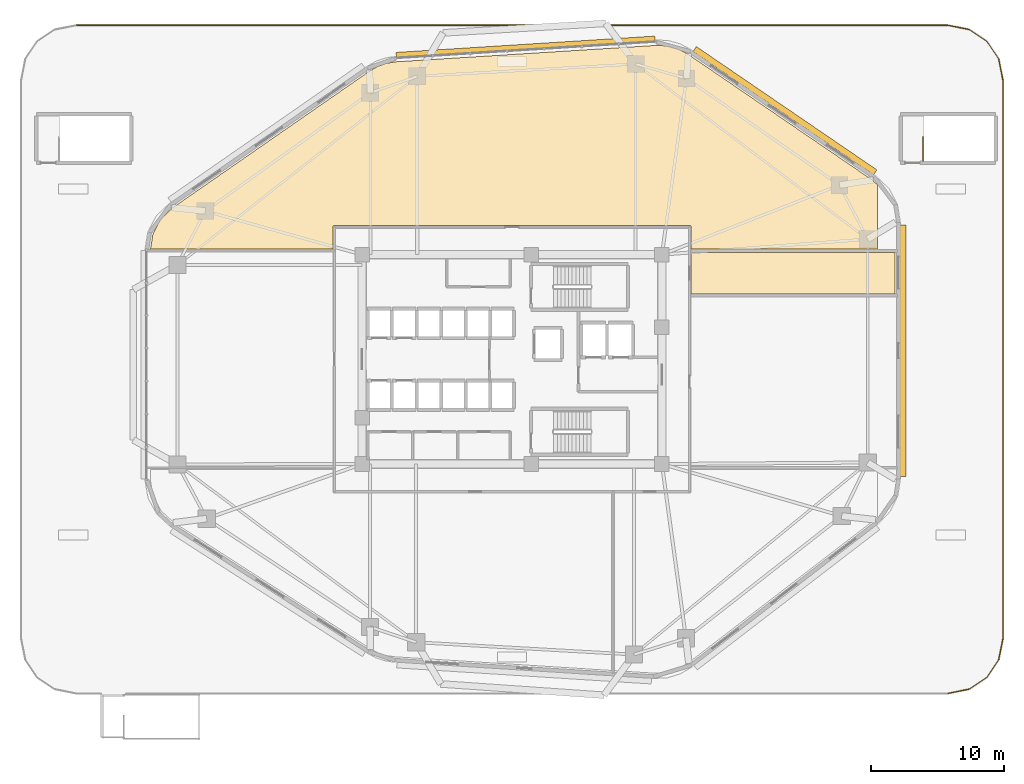
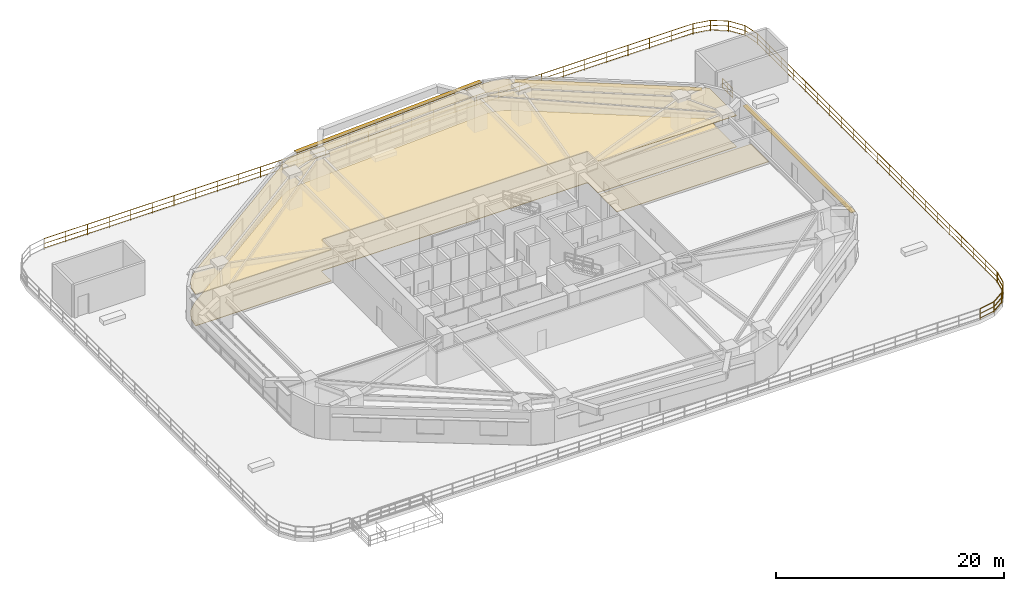
# One storey, part 20 of 20: 11 railings, 3 coverings, 3 shading devices.
"""IFC4 building model written with IfcOpenShell, lengths in metres."""

from ifc_helpers import new_model, si_unit, direction, frame, origin, origin_2d, place, context, subcontext, project, spatial, polyline, rectangle, outline, extrude, material, layer, layer_set, type_object, element, save


model = new_model("IFC4")

# Units and contexts
model_context = context("Model", 3, precision=1e-05, world=origin(), true_north=direction((0.0, 1.0)))
body_context = subcontext(model_context, "Body", "Model", "MODEL_VIEW")
ifc_project = project(units=[si_unit("LENGTHUNIT", "METRE"), si_unit("AREAUNIT", "SQUARE_METRE"), si_unit("VOLUMEUNIT", "CUBIC_METRE"), si_unit("PLANEANGLEUNIT", "RADIAN"), si_unit("MASSUNIT", "GRAM", prefix="KILO")], contexts=[model_context])

# Site, building, storey
site_placement = place(None, origin())
site = spatial("IfcSite", under=ifc_project, at=site_placement, CompositionType="ELEMENT")
building_placement = place(site_placement, origin())
building = spatial("IfcBuilding", under=site, at=building_placement, Name="Zulverin Broadcast Headquarters", CompositionType="ELEMENT")
storey_placement = place(building_placement, frame((0.0, 0.0, 25.0)))
storey = spatial("IfcBuildingStorey", under=building, at=storey_placement, Name="L05", CompositionType="ELEMENT", Elevation=25.0)

# Coverings
ifc_material_1 = material(Name="Perforated pale-metal acoustic baffle ceiling", Category="aluminium")
ifc_layer_1 = layer(ifc_material_1, 0.0400390625, Name="Perforated pale-metal acoustic baffle ceiling", Category="aluminium")
ifc_layer_set_1 = layer_set([ifc_layer_1], Name="Perforated pale-metal acoustic baffle ceiling")
covering_type_1 = type_object("IfcCoveringType", Name="COV-CEIL-ACOU", PredefinedType="CEILING", material=ifc_layer_set_1)
covering_1_placement = place(storey_placement, frame((0.0, 0.0, 3.344970703125)))
element("IfcCovering", 1, at=covering_1_placement, inside=storey, type_object=covering_type_1, Name="L05 Acoustic Baffle Ceiling 01", PredefinedType="CEILING", context=body_context, shape_type="SweptSolid", body=[
    extrude(outline(polyline([(11.4599609375, 36.583984375), (10.56005859375, 35.719970703125), (10.0, 34.639892578125), (9.81591796875, 33.5), (23.531982421875, 33.5), (23.531982421875, 35.152099609375), (23.531982421875, 35.1640625), (23.535888671875, 35.176025390625), (23.535888671875, 35.18798828125), (23.5400390625, 35.196044921875), (23.548095703125, 35.2080078125), (23.552001953125, 35.219970703125), (23.56005859375, 35.22802734375), (23.568115234375, 35.236083984375), (23.575927734375, 35.243896484375), (23.583984375, 35.251953125), (23.595947265625, 35.256103515625), (23.60791015625, 35.263916015625), (23.615966796875, 35.26806640625), (23.6279296875, 35.26806640625), (23.639892578125, 35.27197265625), (23.652099609375, 35.27197265625), (50.35205078125, 35.27197265625), (50.364013671875, 35.27197265625), (50.3759765625, 35.26806640625), (50.387939453125, 35.26806640625), (50.39599609375, 35.263916015625), (50.407958984375, 35.256103515625), (50.419921875, 35.251953125), (50.427978515625, 35.243896484375), (50.43603515625, 35.236083984375), (50.444091796875, 35.22802734375), (50.451904296875, 35.219970703125), (50.4560546875, 35.2080078125), (50.464111328125, 35.196044921875), (50.468017578125, 35.18798828125), (50.468017578125, 35.176025390625), (50.471923828125, 35.1640625), (50.471923828125, 35.152099609375), (50.471923828125, 33.5), (64.5, 33.5), (64.5, 38.303955078125), (64.115966796875, 38.672119140625), (50.248046875, 48.139892578125), (49.491943359375, 48.548095703125), (48.68408203125, 48.76806640625), (47.823974609375, 48.80810546875), (28.27587890625, 47.575927734375), (27.575927734375, 47.468017578125), (26.927978515625, 47.243896484375), (26.31591796875, 46.89599609375), (11.4599609375, 36.583984375)])), origin(), (0.0, 0.0, 1.0), 0.0400390625),
])
ifc_material_2 = material(Name="Anti-static broadcast raised access flooring", Category="stone")
ifc_layer_2 = layer(ifc_material_2, 0.050048828125, Name="Anti-static broadcast raised access flooring", Category="stone")
ifc_layer_set_2 = layer_set([ifc_layer_2], Name="Anti-static broadcast raised access flooring")
covering_type_2 = type_object("IfcCoveringType", Name="COV-FLR-RAISED", PredefinedType="FLOORING", material=ifc_layer_set_2)
covering_2_placement = place(storey_placement, origin())
element("IfcCovering", 2, at=covering_2_placement, inside=storey, type_object=covering_type_2, Name="L05 Broadcast Raised Access Flooring 01", PredefinedType="FLOORING", context=body_context, shape_type="SweptSolid", body=[
    extrude(outline(polyline([(11.4599609375, 36.583984375), (10.56005859375, 35.719970703125), (10.0, 34.639892578125), (9.81591796875, 33.5), (23.531982421875, 33.5), (23.531982421875, 35.152099609375), (23.531982421875, 35.1640625), (23.535888671875, 35.176025390625), (23.535888671875, 35.18798828125), (23.5400390625, 35.196044921875), (23.548095703125, 35.2080078125), (23.552001953125, 35.219970703125), (23.56005859375, 35.22802734375), (23.568115234375, 35.236083984375), (23.575927734375, 35.243896484375), (23.583984375, 35.251953125), (23.595947265625, 35.256103515625), (23.60791015625, 35.263916015625), (23.615966796875, 35.26806640625), (23.6279296875, 35.26806640625), (23.639892578125, 35.27197265625), (23.652099609375, 35.27197265625), (50.35205078125, 35.27197265625), (50.364013671875, 35.27197265625), (50.3759765625, 35.26806640625), (50.387939453125, 35.26806640625), (50.39599609375, 35.263916015625), (50.407958984375, 35.256103515625), (50.419921875, 35.251953125), (50.427978515625, 35.243896484375), (50.43603515625, 35.236083984375), (50.444091796875, 35.22802734375), (50.451904296875, 35.219970703125), (50.4560546875, 35.2080078125), (50.464111328125, 35.196044921875), (50.468017578125, 35.18798828125), (50.468017578125, 35.176025390625), (50.471923828125, 35.1640625), (50.471923828125, 35.152099609375), (50.471923828125, 33.5), (64.5, 33.5), (64.5, 38.303955078125), (64.115966796875, 38.672119140625), (50.248046875, 48.139892578125), (49.491943359375, 48.548095703125), (48.68408203125, 48.76806640625), (47.823974609375, 48.80810546875), (28.27587890625, 47.575927734375), (27.575927734375, 47.468017578125), (26.927978515625, 47.243896484375), (26.31591796875, 46.89599609375), (11.4599609375, 36.583984375)])), origin(), (0.0, 0.0, 1.0), 0.050048828125),
])
covering_3_placement = place(storey_placement, origin())
element("IfcCovering", 3, at=covering_3_placement, inside=storey, type_object=covering_type_2, Name="L05 Broadcast Raised Access Flooring 02", PredefinedType="FLOORING", context=body_context, shape_type="SweptSolid", body=[
    extrude(outline(polyline([(50.471923828125, 30.1201171875), (65.800048828125, 30.1201171875), (65.800048828125, 33.23193359375), (50.471923828125, 33.23193359375), (50.471923828125, 30.1201171875)])), origin(), (0.0, 0.0, 1.0), 0.050048828125),
])

# Railings
ifc_material_3 = material(Name="Brushed stainless steel & laminated glass balustrade", Category="steel")
railing_type_1 = type_object("IfcRailingType", Name="RL-GUARD-1150", PredefinedType="GUARDRAIL", material=ifc_material_3)
railing_1_placement = place(storey_placement, frame((69.806884765625, 0.0830078125, 0.0)))
element("IfcRailing", 4, at=railing_1_placement, inside=storey, type_object=railing_type_1, Name="L05 Raised Public Garden Perimeter Balustrade Segment 02", PredefinedType="GUARDRAIL", context=body_context, shape_type="SweptSolid", body=[
    extrude(rectangle(XDim=0.048095703125, YDim=0.048095703125, at=origin_2d()), frame((0.0, 0.0, 1.1259765625), z_axis=(0.980799279809, 0.195019929046, 0.0), x_axis=(-0.195019929046, 0.980799279809, 0.0)), (0.0, 0.0, 1.0), 1.5849609375),
    extrude(rectangle(XDim=0.0419921875, YDim=0.0419921875, at=origin_2d()), frame((0.0, 0.0, 0.597900390625), z_axis=(0.980799279809, 0.195019929046, 0.0), x_axis=(-0.195019929046, 0.980799279809, 0.0)), (0.0, 0.0, 1.0), 1.5849609375),
    extrude(rectangle(XDim=0.0419921875, YDim=0.0419921875, at=origin_2d()), frame((0.0, 0.0, 0.1201171875), z_axis=(0.980799279809, 0.195019929046, 0.0), x_axis=(-0.195019929046, 0.980799279809, 0.0)), (0.0, 0.0, 1.0), 1.5849609375),
    extrude(rectangle(XDim=0.0419921875, YDim=0.0419921875, at=origin_2d()), origin(), (0.0, 0.0, 1.0), 1.101806640625),
    extrude(rectangle(XDim=0.0419921875, YDim=0.0419921875, at=origin_2d()), frame((1.554443359375, 0.30908203125, 0.0)), (0.0, 0.0, 1.0), 1.101806640625),
])
railing_2_placement = place(storey_placement, frame((71.388671875, 0.4033203125, 0.0)))
element("IfcRailing", 5, at=railing_2_placement, inside=storey, type_object=railing_type_1, Name="L05 Raised Public Garden Perimeter Balustrade Segment 03", PredefinedType="GUARDRAIL", context=body_context, shape_type="SweptSolid", body=[
    extrude(rectangle(XDim=0.048095703125, YDim=0.048095703125, at=origin_2d()), frame((0.0, 0.0, 1.1259765625), z_axis=(0.831406618697, 0.555664498045, 0.0), x_axis=(-0.555664498045, 0.831406618697, 0.0)), (0.0, 0.0, 1.0), 1.576904296875),
    extrude(rectangle(XDim=0.0419921875, YDim=0.0419921875, at=origin_2d()), frame((0.0, 0.0, 0.597900390625), z_axis=(0.831406618697, 0.555664498045, 0.0), x_axis=(-0.555664498045, 0.831406618697, 0.0)), (0.0, 0.0, 1.0), 1.576904296875),
    extrude(rectangle(XDim=0.0419921875, YDim=0.0419921875, at=origin_2d()), frame((0.0, 0.0, 0.1201171875), z_axis=(0.831406618697, 0.555664498045, 0.0), x_axis=(-0.555664498045, 0.831406618697, 0.0)), (0.0, 0.0, 1.0), 1.576904296875),
    extrude(rectangle(XDim=0.0419921875, YDim=0.0419921875, at=origin_2d()), origin(), (0.0, 0.0, 1.0), 1.101806640625),
    extrude(rectangle(XDim=0.0419921875, YDim=0.0419921875, at=origin_2d()), frame((1.31103515625, 0.876220703125, 0.0)), (0.0, 0.0, 1.0), 1.101806640625),
])
railing_3_placement = place(storey_placement, frame((72.720458984375, 1.30029296875, 0.0)))
element("IfcRailing", 6, at=railing_3_placement, inside=storey, type_object=railing_type_1, Name="L05 Raised Public Garden Perimeter Balustrade Segment 04", PredefinedType="GUARDRAIL", context=body_context, shape_type="SweptSolid", body=[
    extrude(rectangle(XDim=0.048095703125, YDim=0.048095703125, at=origin_2d()), frame((0.0, 0.0, 1.1259765625), z_axis=(0.555664498045, 0.831406618697, 0.0), x_axis=(-0.831406618697, 0.555664498045, 0.0)), (0.0, 0.0, 1.0), 1.576904296875),
    extrude(rectangle(XDim=0.0419921875, YDim=0.0419921875, at=origin_2d()), frame((0.0, 0.0, 0.597900390625), z_axis=(0.555664498045, 0.831406618697, 0.0), x_axis=(-0.831406618697, 0.555664498045, 0.0)), (0.0, 0.0, 1.0), 1.576904296875),
    extrude(rectangle(XDim=0.0419921875, YDim=0.0419921875, at=origin_2d()), frame((0.0, 0.0, 0.1201171875), z_axis=(0.555664498045, 0.831406618697, 0.0), x_axis=(-0.831406618697, 0.555664498045, 0.0)), (0.0, 0.0, 1.0), 1.576904296875),
    extrude(rectangle(XDim=0.0419921875, YDim=0.0419921875, at=origin_2d()), origin(), (0.0, 0.0, 1.0), 1.101806640625),
    extrude(rectangle(XDim=0.0419921875, YDim=0.0419921875, at=origin_2d()), frame((0.876220703125, 1.31103515625, 0.0)), (0.0, 0.0, 1.0), 1.101806640625),
])
railing_4_placement = place(storey_placement, frame((73.60791015625, 2.638671875, 0.0)))
element("IfcRailing", 7, at=railing_4_placement, inside=storey, type_object=railing_type_1, Name="L05 Raised Public Garden Perimeter Balustrade Segment 05", PredefinedType="GUARDRAIL", context=body_context, shape_type="SweptSolid", body=[
    extrude(rectangle(XDim=0.048095703125, YDim=0.048095703125, at=origin_2d()), frame((0.0, 0.0, 1.1259765625), z_axis=(0.195019929046, 0.980799279809, 0.0), x_axis=(-0.980799279809, 0.195019929046, 0.0)), (0.0, 0.0, 1.0), 1.5849609375),
    extrude(rectangle(XDim=0.0419921875, YDim=0.0419921875, at=origin_2d()), frame((0.0, 0.0, 0.597900390625), z_axis=(0.195019929046, 0.980799279809, 0.0), x_axis=(-0.980799279809, 0.195019929046, 0.0)), (0.0, 0.0, 1.0), 1.5849609375),
    extrude(rectangle(XDim=0.0419921875, YDim=0.0419921875, at=origin_2d()), frame((0.0, 0.0, 0.1201171875), z_axis=(0.195019929046, 0.980799279809, 0.0), x_axis=(-0.980799279809, 0.195019929046, 0.0)), (0.0, 0.0, 1.0), 1.5849609375),
    extrude(rectangle(XDim=0.0419921875, YDim=0.0419921875, at=origin_2d()), origin(), (0.0, 0.0, 1.0), 1.101806640625),
    extrude(rectangle(XDim=0.0419921875, YDim=0.0419921875, at=origin_2d()), frame((0.30908203125, 1.554443359375, 0.0)), (0.0, 0.0, 1.0), 1.101806640625),
])
railing_5_placement = place(storey_placement, frame((73.919921875, 4.222900390625, 0.0)))
element("IfcRailing", 8, at=railing_5_placement, inside=storey, type_object=railing_type_1, Name="L05 Raised Public Garden Perimeter Balustrade Segment 06", PredefinedType="GUARDRAIL", context=body_context, shape_type="SweptSolid", body=[
    extrude(rectangle(XDim=0.048095703125, YDim=0.048095703125, at=origin_2d()), frame((0.0, 0.0, 1.1259765625), z_axis=(0.0, 1.0, 0.0), x_axis=(-1.0, 0.0, 0.0)), (0.0, 0.0, 1.0), 41.9541015625),
    extrude(rectangle(XDim=0.0419921875, YDim=0.0419921875, at=origin_2d()), frame((0.0, 0.0, 0.597900390625), z_axis=(0.0, 1.0, 0.0), x_axis=(-1.0, 0.0, 0.0)), (0.0, 0.0, 1.0), 41.9541015625),
    extrude(rectangle(XDim=0.0419921875, YDim=0.0419921875, at=origin_2d()), frame((0.0, 0.0, 0.1201171875), z_axis=(0.0, 1.0, 0.0), x_axis=(-1.0, 0.0, 0.0)), (0.0, 0.0, 1.0), 41.9541015625),
    extrude(rectangle(XDim=0.0419921875, YDim=0.0419921875, at=origin_2d()), origin(), (0.0, 0.0, 1.0), 1.101806640625),
    extrude(rectangle(XDim=0.0419921875, YDim=0.0419921875, at=origin_2d()), frame((0.0, 2.09765625, 0.0)), (0.0, 0.0, 1.0), 1.101806640625),
    extrude(rectangle(XDim=0.0419921875, YDim=0.0419921875, at=origin_2d()), frame((0.0, 4.1953125, 0.0)), (0.0, 0.0, 1.0), 1.101806640625),
    extrude(rectangle(XDim=0.0419921875, YDim=0.0419921875, at=origin_2d()), frame((0.0, 6.293212890625, 0.0)), (0.0, 0.0, 1.0), 1.101806640625),
    extrude(rectangle(XDim=0.0419921875, YDim=0.0419921875, at=origin_2d()), frame((0.0, 8.390869140625, 0.0)), (0.0, 0.0, 1.0), 1.101806640625),
    extrude(rectangle(XDim=0.0419921875, YDim=0.0419921875, at=origin_2d()), frame((0.0, 10.488525390625, 0.0)), (0.0, 0.0, 1.0), 1.101806640625),
    extrude(rectangle(XDim=0.0419921875, YDim=0.0419921875, at=origin_2d()), frame((0.0, 12.586181640625, 0.0)), (0.0, 0.0, 1.0), 1.101806640625),
    extrude(rectangle(XDim=0.0419921875, YDim=0.0419921875, at=origin_2d()), frame((0.0, 14.683837890625, 0.0)), (0.0, 0.0, 1.0), 1.101806640625),
    extrude(rectangle(XDim=0.0419921875, YDim=0.0419921875, at=origin_2d()), frame((0.0, 16.78173828125, 0.0)), (0.0, 0.0, 1.0), 1.101806640625),
    extrude(rectangle(XDim=0.0419921875, YDim=0.0419921875, at=origin_2d()), frame((0.0, 18.87939453125, 0.0)), (0.0, 0.0, 1.0), 1.101806640625),
    extrude(rectangle(XDim=0.0419921875, YDim=0.0419921875, at=origin_2d()), frame((0.0, 20.97705078125, 0.0)), (0.0, 0.0, 1.0), 1.101806640625),
    extrude(rectangle(XDim=0.0419921875, YDim=0.0419921875, at=origin_2d()), frame((0.0, 23.07470703125, 0.0)), (0.0, 0.0, 1.0), 1.101806640625),
    extrude(rectangle(XDim=0.0419921875, YDim=0.0419921875, at=origin_2d()), frame((0.0, 25.17236328125, 0.0)), (0.0, 0.0, 1.0), 1.101806640625),
    extrude(rectangle(XDim=0.0419921875, YDim=0.0419921875, at=origin_2d()), frame((0.0, 27.270263671875, 0.0)), (0.0, 0.0, 1.0), 1.101806640625),
    extrude(rectangle(XDim=0.0419921875, YDim=0.0419921875, at=origin_2d()), frame((0.0, 29.367919921875, 0.0)), (0.0, 0.0, 1.0), 1.101806640625),
    extrude(rectangle(XDim=0.0419921875, YDim=0.0419921875, at=origin_2d()), frame((0.0, 31.465576171875, 0.0)), (0.0, 0.0, 1.0), 1.101806640625),
    extrude(rectangle(XDim=0.0419921875, YDim=0.0419921875, at=origin_2d()), frame((0.0, 33.563232421875, 0.0)), (0.0, 0.0, 1.0), 1.101806640625),
    extrude(rectangle(XDim=0.0419921875, YDim=0.0419921875, at=origin_2d()), frame((0.0, 35.660888671875, 0.0)), (0.0, 0.0, 1.0), 1.101806640625),
    extrude(rectangle(XDim=0.0419921875, YDim=0.0419921875, at=origin_2d()), frame((0.0, 37.7587890625, 0.0)), (0.0, 0.0, 1.0), 1.101806640625),
    extrude(rectangle(XDim=0.0419921875, YDim=0.0419921875, at=origin_2d()), frame((0.0, 39.8564453125, 0.0)), (0.0, 0.0, 1.0), 1.101806640625),
    extrude(rectangle(XDim=0.0419921875, YDim=0.0419921875, at=origin_2d()), frame((0.0, 41.9541015625, 0.0)), (0.0, 0.0, 1.0), 1.101806640625),
])
railing_6_placement = place(storey_placement, frame((73.9169921875, 46.206787109375, 0.0)))
element("IfcRailing", 9, at=railing_6_placement, inside=storey, type_object=railing_type_1, Name="L05 Raised Public Garden Perimeter Balustrade Segment 07", PredefinedType="GUARDRAIL", context=body_context, shape_type="SweptSolid", body=[
    extrude(rectangle(XDim=0.048095703125, YDim=0.048095703125, at=origin_2d()), frame((0.0, 0.0, 1.1259765625), z_axis=(-0.194990468547, 0.980805137209, 0.0), x_axis=(-0.980805137209, -0.194990468547, 0.0)), (0.0, 0.0, 1.0), 1.585205078125),
    extrude(rectangle(XDim=0.0419921875, YDim=0.0419921875, at=origin_2d()), frame((0.0, 0.0, 0.597900390625), z_axis=(-0.194990468547, 0.980805137209, 0.0), x_axis=(-0.980805137209, -0.194990468547, 0.0)), (0.0, 0.0, 1.0), 1.585205078125),
    extrude(rectangle(XDim=0.0419921875, YDim=0.0419921875, at=origin_2d()), frame((0.0, 0.0, 0.1201171875), z_axis=(-0.194990468547, 0.980805137209, 0.0), x_axis=(-0.980805137209, -0.194990468547, 0.0)), (0.0, 0.0, 1.0), 1.585205078125),
    extrude(rectangle(XDim=0.0419921875, YDim=0.0419921875, at=origin_2d()), origin(), (0.0, 0.0, 1.0), 1.101806640625),
    extrude(rectangle(XDim=0.0419921875, YDim=0.0419921875, at=origin_2d()), frame((-0.30908203125, 1.5546875, 0.0)), (0.0, 0.0, 1.0), 1.101806640625),
])
railing_7_placement = place(storey_placement, frame((73.5966796875, 47.78857421875, 0.0)))
element("IfcRailing", 10, at=railing_7_placement, inside=storey, type_object=railing_type_1, Name="L05 Raised Public Garden Perimeter Balustrade Segment 08", PredefinedType="GUARDRAIL", context=body_context, shape_type="SweptSolid", body=[
    extrude(rectangle(XDim=0.048095703125, YDim=0.048095703125, at=origin_2d()), frame((0.0, 0.0, 1.1259765625), z_axis=(-0.555664498045, 0.831406618697, 0.0), x_axis=(-0.831406618697, -0.555664498045, 0.0)), (0.0, 0.0, 1.0), 1.576904296875),
    extrude(rectangle(XDim=0.0419921875, YDim=0.0419921875, at=origin_2d()), frame((0.0, 0.0, 0.597900390625), z_axis=(-0.555664498045, 0.831406618697, 0.0), x_axis=(-0.831406618697, -0.555664498045, 0.0)), (0.0, 0.0, 1.0), 1.576904296875),
    extrude(rectangle(XDim=0.0419921875, YDim=0.0419921875, at=origin_2d()), frame((0.0, 0.0, 0.1201171875), z_axis=(-0.555664498045, 0.831406618697, 0.0), x_axis=(-0.831406618697, -0.555664498045, 0.0)), (0.0, 0.0, 1.0), 1.576904296875),
    extrude(rectangle(XDim=0.0419921875, YDim=0.0419921875, at=origin_2d()), origin(), (0.0, 0.0, 1.0), 1.101806640625),
    extrude(rectangle(XDim=0.0419921875, YDim=0.0419921875, at=origin_2d()), frame((-0.876220703125, 1.31103515625, 0.0)), (0.0, 0.0, 1.0), 1.101806640625),
])
railing_8_placement = place(storey_placement, frame((72.69970703125, 49.120361328125, 0.0)))
element("IfcRailing", 11, at=railing_8_placement, inside=storey, type_object=railing_type_1, Name="L05 Raised Public Garden Perimeter Balustrade Segment 09", PredefinedType="GUARDRAIL", context=body_context, shape_type="SweptSolid", body=[
    extrude(rectangle(XDim=0.048095703125, YDim=0.048095703125, at=origin_2d()), frame((0.0, 0.0, 1.1259765625), z_axis=(-0.831406618697, 0.555664498045, 0.0), x_axis=(-0.555664498045, -0.831406618697, 0.0)), (0.0, 0.0, 1.0), 1.576904296875),
    extrude(rectangle(XDim=0.0419921875, YDim=0.0419921875, at=origin_2d()), frame((0.0, 0.0, 0.597900390625), z_axis=(-0.831406618697, 0.555664498045, 0.0), x_axis=(-0.555664498045, -0.831406618697, 0.0)), (0.0, 0.0, 1.0), 1.576904296875),
    extrude(rectangle(XDim=0.0419921875, YDim=0.0419921875, at=origin_2d()), frame((0.0, 0.0, 0.1201171875), z_axis=(-0.831406618697, 0.555664498045, 0.0), x_axis=(-0.555664498045, -0.831406618697, 0.0)), (0.0, 0.0, 1.0), 1.576904296875),
    extrude(rectangle(XDim=0.0419921875, YDim=0.0419921875, at=origin_2d()), origin(), (0.0, 0.0, 1.0), 1.101806640625),
    extrude(rectangle(XDim=0.0419921875, YDim=0.0419921875, at=origin_2d()), frame((-1.31103515625, 0.876220703125, 0.0)), (0.0, 0.0, 1.0), 1.101806640625),
])
railing_9_placement = place(storey_placement, frame((71.361328125, 50.0078125, 0.0)))
element("IfcRailing", 12, at=railing_9_placement, inside=storey, type_object=railing_type_1, Name="L05 Raised Public Garden Perimeter Balustrade Segment 10", PredefinedType="GUARDRAIL", context=body_context, shape_type="SweptSolid", body=[
    extrude(rectangle(XDim=0.048095703125, YDim=0.048095703125, at=origin_2d()), frame((0.0, 0.0, 1.1259765625), z_axis=(-0.980769804639, 0.195168107818, 0.0), x_axis=(-0.195168107818, -0.980769804639, 0.0)), (0.0, 0.0, 1.0), 1.5849609375),
    extrude(rectangle(XDim=0.0419921875, YDim=0.0419921875, at=origin_2d()), frame((0.0, 0.0, 0.597900390625), z_axis=(-0.980769804639, 0.195168107818, 0.0), x_axis=(-0.195168107818, -0.980769804639, 0.0)), (0.0, 0.0, 1.0), 1.5849609375),
    extrude(rectangle(XDim=0.0419921875, YDim=0.0419921875, at=origin_2d()), frame((0.0, 0.0, 0.1201171875), z_axis=(-0.980769804639, 0.195168107818, 0.0), x_axis=(-0.195168107818, -0.980769804639, 0.0)), (0.0, 0.0, 1.0), 1.5849609375),
    extrude(rectangle(XDim=0.0419921875, YDim=0.0419921875, at=origin_2d()), origin(), (0.0, 0.0, 1.0), 1.101806640625),
    extrude(rectangle(XDim=0.0419921875, YDim=0.0419921875, at=origin_2d()), frame((-1.554443359375, 0.309326171875, 0.0)), (0.0, 0.0, 1.0), 1.101806640625),
])
railing_10_placement = place(storey_placement, frame((69.777099609375, 50.320068359375, 0.0)))
element("IfcRailing", 13, at=railing_10_placement, inside=storey, type_object=railing_type_1, Name="L05 Raised Public Garden Perimeter Balustrade Segment 11", PredefinedType="GUARDRAIL", context=body_context, shape_type="SweptSolid", body=[
    extrude(rectangle(XDim=0.048095703125, YDim=0.048095703125, at=origin_2d()), frame((0.0, 0.0, 1.1259765625), z_axis=(-1.0, 0.0, 0.0), x_axis=(0.0, -1.0, 0.0)), (0.0, 0.0, 1.0), 65.55419921875),
    extrude(rectangle(XDim=0.0419921875, YDim=0.0419921875, at=origin_2d()), frame((0.0, 0.0, 0.597900390625), z_axis=(-1.0, 0.0, 0.0), x_axis=(0.0, -1.0, 0.0)), (0.0, 0.0, 1.0), 65.55419921875),
    extrude(rectangle(XDim=0.0419921875, YDim=0.0419921875, at=origin_2d()), frame((0.0, 0.0, 0.1201171875), z_axis=(-1.0, 0.0, 0.0), x_axis=(0.0, -1.0, 0.0)), (0.0, 0.0, 1.0), 65.55419921875),
    extrude(rectangle(XDim=0.0419921875, YDim=0.0419921875, at=origin_2d()), origin(), (0.0, 0.0, 1.0), 1.101806640625),
    extrude(rectangle(XDim=0.0419921875, YDim=0.0419921875, at=origin_2d()), frame((-2.18505859375, 0.0, 0.0)), (0.0, 0.0, 1.0), 1.101806640625),
    extrude(rectangle(XDim=0.0419921875, YDim=0.0419921875, at=origin_2d()), frame((-4.370361328125, 0.0, 0.0)), (0.0, 0.0, 1.0), 1.101806640625),
    extrude(rectangle(XDim=0.0419921875, YDim=0.0419921875, at=origin_2d()), frame((-6.555419921875, 0.0, 0.0)), (0.0, 0.0, 1.0), 1.101806640625),
    extrude(rectangle(XDim=0.0419921875, YDim=0.0419921875, at=origin_2d()), frame((-8.740478515625, 0.0, 0.0)), (0.0, 0.0, 1.0), 1.101806640625),
    extrude(rectangle(XDim=0.0419921875, YDim=0.0419921875, at=origin_2d()), frame((-10.92578125, 0.0, 0.0)), (0.0, 0.0, 1.0), 1.101806640625),
    extrude(rectangle(XDim=0.0419921875, YDim=0.0419921875, at=origin_2d()), frame((-13.11083984375, 0.0, 0.0)), (0.0, 0.0, 1.0), 1.101806640625),
    extrude(rectangle(XDim=0.0419921875, YDim=0.0419921875, at=origin_2d()), frame((-15.2958984375, 0.0, 0.0)), (0.0, 0.0, 1.0), 1.101806640625),
    extrude(rectangle(XDim=0.0419921875, YDim=0.0419921875, at=origin_2d()), frame((-17.481201171875, 0.0, 0.0)), (0.0, 0.0, 1.0), 1.101806640625),
    extrude(rectangle(XDim=0.0419921875, YDim=0.0419921875, at=origin_2d()), frame((-19.666259765625, 0.0, 0.0)), (0.0, 0.0, 1.0), 1.101806640625),
    extrude(rectangle(XDim=0.0419921875, YDim=0.0419921875, at=origin_2d()), frame((-21.851318359375, 0.0, 0.0)), (0.0, 0.0, 1.0), 1.101806640625),
    extrude(rectangle(XDim=0.0419921875, YDim=0.0419921875, at=origin_2d()), frame((-24.03662109375, 0.0, 0.0)), (0.0, 0.0, 1.0), 1.101806640625),
    extrude(rectangle(XDim=0.0419921875, YDim=0.0419921875, at=origin_2d()), frame((-26.2216796875, 0.0, 0.0)), (0.0, 0.0, 1.0), 1.101806640625),
    extrude(rectangle(XDim=0.0419921875, YDim=0.0419921875, at=origin_2d()), frame((-28.40673828125, 0.0, 0.0)), (0.0, 0.0, 1.0), 1.101806640625),
    extrude(rectangle(XDim=0.0419921875, YDim=0.0419921875, at=origin_2d()), frame((-30.592041015625, 0.0, 0.0)), (0.0, 0.0, 1.0), 1.101806640625),
    extrude(rectangle(XDim=0.0419921875, YDim=0.0419921875, at=origin_2d()), frame((-32.777099609375, 0.0, 0.0)), (0.0, 0.0, 1.0), 1.101806640625),
    extrude(rectangle(XDim=0.0419921875, YDim=0.0419921875, at=origin_2d()), frame((-34.962158203125, 0.0, 0.0)), (0.0, 0.0, 1.0), 1.101806640625),
    extrude(rectangle(XDim=0.0419921875, YDim=0.0419921875, at=origin_2d()), frame((-37.1474609375, 0.0, 0.0)), (0.0, 0.0, 1.0), 1.101806640625),
    extrude(rectangle(XDim=0.0419921875, YDim=0.0419921875, at=origin_2d()), frame((-39.33251953125, 0.0, 0.0)), (0.0, 0.0, 1.0), 1.101806640625),
    extrude(rectangle(XDim=0.0419921875, YDim=0.0419921875, at=origin_2d()), frame((-41.517578125, 0.0, 0.0)), (0.0, 0.0, 1.0), 1.101806640625),
    extrude(rectangle(XDim=0.0419921875, YDim=0.0419921875, at=origin_2d()), frame((-43.702880859375, 0.0, 0.0)), (0.0, 0.0, 1.0), 1.101806640625),
    extrude(rectangle(XDim=0.0419921875, YDim=0.0419921875, at=origin_2d()), frame((-45.887939453125, 0.0, 0.0)), (0.0, 0.0, 1.0), 1.101806640625),
    extrude(rectangle(XDim=0.0419921875, YDim=0.0419921875, at=origin_2d()), frame((-48.072998046875, 0.0, 0.0)), (0.0, 0.0, 1.0), 1.101806640625),
    extrude(rectangle(XDim=0.0419921875, YDim=0.0419921875, at=origin_2d()), frame((-50.25830078125, 0.0, 0.0)), (0.0, 0.0, 1.0), 1.101806640625),
    extrude(rectangle(XDim=0.0419921875, YDim=0.0419921875, at=origin_2d()), frame((-52.443359375, 0.0, 0.0)), (0.0, 0.0, 1.0), 1.101806640625),
    extrude(rectangle(XDim=0.0419921875, YDim=0.0419921875, at=origin_2d()), frame((-54.62841796875, 0.0, 0.0)), (0.0, 0.0, 1.0), 1.101806640625),
    extrude(rectangle(XDim=0.0419921875, YDim=0.0419921875, at=origin_2d()), frame((-56.813720703125, 0.0, 0.0)), (0.0, 0.0, 1.0), 1.101806640625),
    extrude(rectangle(XDim=0.0419921875, YDim=0.0419921875, at=origin_2d()), frame((-58.998779296875, 0.0, 0.0)), (0.0, 0.0, 1.0), 1.101806640625),
    extrude(rectangle(XDim=0.0419921875, YDim=0.0419921875, at=origin_2d()), frame((-61.183837890625, 0.0, 0.0)), (0.0, 0.0, 1.0), 1.101806640625),
    extrude(rectangle(XDim=0.0419921875, YDim=0.0419921875, at=origin_2d()), frame((-63.369140625, 0.0, 0.0)), (0.0, 0.0, 1.0), 1.101806640625),
    extrude(rectangle(XDim=0.0419921875, YDim=0.0419921875, at=origin_2d()), frame((-65.55419921875, 0.0, 0.0)), (0.0, 0.0, 1.0), 1.101806640625),
])
ifc_material_4 = material(Name="Painted galvanized steel tubular guardrail S355JR", Category="steel")
railing_type_2 = type_object("IfcRailingType", Name="RL-ST-GUARD", PredefinedType="GUARDRAIL", material=ifc_material_4)
railing_11_placement = place(storey_placement, frame((67.919921875, 40.10009765625, 0.0)))
element("IfcRailing", 14, at=railing_11_placement, inside=storey, type_object=railing_type_2, Name="L05 ST-4 top well guard 1", PredefinedType="GUARDRAIL", context=body_context, shape_type="SweptSolid", body=[
    extrude(rectangle(XDim=0.048095703125, YDim=0.048095703125, at=origin_2d()), frame((0.0, 0.0, 1.076171875), z_axis=(0.0, 1.0, 0.0), x_axis=(-1.0, 0.0, 0.0)), (0.0, 0.0, 1.0), 1.7998046875),
    extrude(rectangle(XDim=0.0419921875, YDim=0.0419921875, at=origin_2d()), frame((0.0, 0.0, 0.572021484375), z_axis=(0.0, 1.0, 0.0), x_axis=(-1.0, 0.0, 0.0)), (0.0, 0.0, 1.0), 1.7998046875),
    extrude(rectangle(XDim=0.0419921875, YDim=0.0419921875, at=origin_2d()), frame((0.0, 0.0, 0.1201171875), z_axis=(0.0, 1.0, 0.0), x_axis=(-1.0, 0.0, 0.0)), (0.0, 0.0, 1.0), 1.7998046875),
    extrude(rectangle(XDim=0.0419921875, YDim=0.0419921875, at=origin_2d()), origin(), (0.0, 0.0, 1.0), 1.052001953125),
    extrude(rectangle(XDim=0.0419921875, YDim=0.0419921875, at=origin_2d()), frame((0.0, 0.89990234375, 0.0)), (0.0, 0.0, 1.0), 1.052001953125),
    extrude(rectangle(XDim=0.0419921875, YDim=0.0419921875, at=origin_2d()), frame((0.0, 1.7998046875, 0.0)), (0.0, 0.0, 1.0), 1.052001953125),
])

# Shading devices
ifc_material_5 = material(Name="Anodized pale-metal aluminium sunshade", Category="aluminium")
ifc_layer_3 = layer(ifc_material_5, 0.06005859375, Name="Anodized pale-metal aluminium sunshade", Category="aluminium")
ifc_layer_set_3 = layer_set([ifc_layer_3], Name="Anodized pale-metal aluminium sunshade")
shading_device_type = type_object("IfcShadingDeviceType", Name="SS-01_PALE_METAL_ALUMINIUM_SUNSHADE", PredefinedType="USERDEFINED", material=ifc_layer_set_3)
shading_device_1_placement = place(storey_placement, frame((66.39990234375, 25.848876953125, 2.7099609375), z_axis=(0.0, 0.0, 1.0), x_axis=(0.0, 1.0, 0.0)))
element("IfcShadingDevice", 15, at=shading_device_1_placement, inside=storey, type_object=shading_device_type, Name="L05 Horizontal Pale-Metal Sunshade Band 3", ObjectType="SUNSHADE", PredefinedType="USERDEFINED", context=body_context, shape_type="SweptSolid", body=[
    extrude(rectangle(XDim=18.93115234375, YDim=0.449951171875, at=origin_2d()), origin(), (0.0, 0.0, 1.0), 0.06005859375),
])
shading_device_2_placement = place(storey_placement, frame((57.525390625, 43.8994140625, 2.7099609375), z_axis=(0.0, 0.0, 1.0), x_axis=(-0.825756855157, 0.564026254851, 0.0)))
element("IfcShadingDevice", 16, at=shading_device_2_placement, inside=storey, type_object=shading_device_type, Name="L05 Horizontal Pale-Metal Sunshade Band 4", ObjectType="SUNSHADE", PredefinedType="USERDEFINED", context=body_context, shape_type="SweptSolid", body=[
    extrude(rectangle(XDim=16.4482421875, YDim=0.449951171875, at=origin_2d()), origin(), (0.0, 0.0, 1.0), 0.06005859375),
])
shading_device_3_placement = place(storey_placement, frame((38.022705078125, 48.671142578125, 3.294921875), z_axis=(0.0, 0.0, 1.0), x_axis=(-0.998017621976, -0.062935095345, 0.0)))
element("IfcShadingDevice", 17, at=shading_device_3_placement, inside=storey, type_object=shading_device_type, Name="L05 Pale-Metal Horizontal Sunshade Band CW-L05-E5", ObjectType="SUNSHADE", PredefinedType="USERDEFINED", context=body_context, shape_type="SweptSolid", body=[
    extrude(rectangle(XDim=19.489501953125, YDim=0.449951171875, at=origin_2d()), origin(), (0.0, 0.0, 1.0), 0.06005859375),
])

save(model, "model.ifc")
